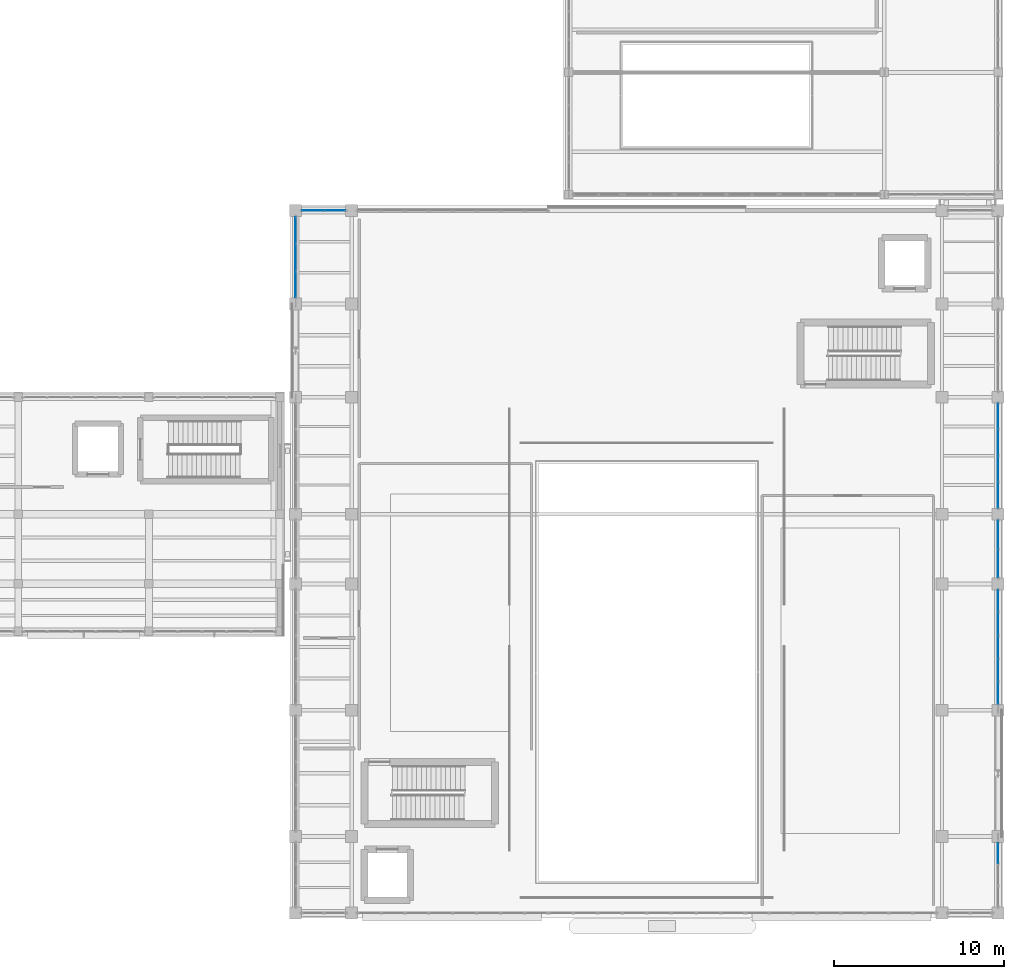
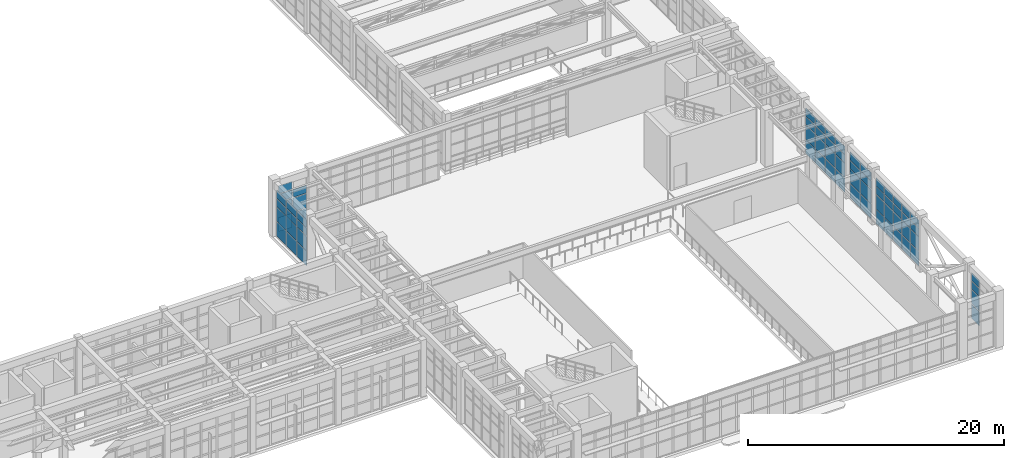
# One storey, part 76 of 103: 67 plates, 6 elements without a shape of their own.
"""IFC4 building model written with IfcOpenShell, lengths in metres."""

import ifcopenshell
import ifcopenshell.guid

model = None  # the IFC model being written
_history = None  # IfcOwnerHistory: only IFC2X3 demands one
_inside = {}  # id of a spatial element -> (the spatial element, [elements in it])
_under = {}  # id of a project, library or spatial element -> (it, [spatial elements below it])
_declared = {}  # id of a project -> (the project, [libraries it declares])
_typed = {}  # id of a type object -> (the type object, [elements of that type])
_made_of = {}  # id of a material, layer set ... -> (it, [elements and type objects made of it])


def new_model(schema):
    """Start an empty IFC model of exactly this schema.

    Asked for "IFC4X3", IfcOpenShell would pick the latest addendum, in which some entities
    have other attributes; the version numbers below select the first issue.
    IFC2X3 requires an IfcOwnerHistory on every rooted entity: one is made here for all.
    """
    global model, _history
    if schema == "IFC4X3":
        model = ifcopenshell.file(schema_version=(4, 3, 0, 0))
    else:
        model = ifcopenshell.file(schema=schema)
    _inside.clear()
    _under.clear()
    _declared.clear()
    _typed.clear()
    _made_of.clear()
    _history = None
    if model.schema == "IFC2X3":
        org = make("IfcOrganization", Name="unknown")
        user = make(
            "IfcPersonAndOrganization",
            ThePerson=make("IfcPerson", FamilyName="unknown"),
            TheOrganization=org,
        )
        app = make(
            "IfcApplication",
            ApplicationDeveloper=org,
            Version="unknown",
            ApplicationFullName="unknown",
            ApplicationIdentifier="unknown",
        )
        _history = make(
            "IfcOwnerHistory",
            OwningUser=user,
            OwningApplication=app,
            ChangeAction="ADDED",
            CreationDate=0,
        )
    return model


def make(cls, **values):
    """One entity of the class cls with the attributes given. An attribute that is None is left unset."""
    return model.create_entity(
        cls, **{name: value for name, value in values.items() if value is not None}
    )


def rooted(cls, **values):
    """An entity with a GlobalId (a new one), such as an element, a storey or a relation."""
    return make(cls, GlobalId=ifcopenshell.guid.new(), OwnerHistory=_history, **values)


def si_unit(unit_type, name, prefix=None):
    """IfcSIUnit, for example si_unit("LENGTHUNIT", "METRE", prefix="MILLI")."""
    return make("IfcSIUnit", UnitType=unit_type, Prefix=prefix, Name=name)


def assignment(units):
    """IfcUnitAssignment: the units of a project."""
    return None if units is None else make("IfcUnitAssignment", Units=units)


def point(xyz):
    """IfcCartesianPoint."""
    return None if xyz is None else make("IfcCartesianPoint", Coordinates=xyz)


def direction(xyz):
    """IfcDirection."""
    return None if xyz is None else make("IfcDirection", DirectionRatios=xyz)


def frame(location, z_axis=None, x_axis=None):
    """IfcAxis2Placement3D, a coordinate frame: its origin and axes. An axis left out is left unset."""
    return make(
        "IfcAxis2Placement3D",
        Location=point(location),
        Axis=direction(z_axis),
        RefDirection=direction(x_axis),
    )


def frame_2d(location, x_axis=None):
    """IfcAxis2Placement2D, a coordinate frame in the plane: its origin and x axis."""
    return make(
        "IfcAxis2Placement2D", Location=point(location), RefDirection=direction(x_axis)
    )


def origin():
    """The frame at (0, 0, 0) with its axes left unset."""
    return frame((0.0, 0.0, 0.0))


def origin_2d():
    """The frame at (0, 0) in the plane with its x axis left unset."""
    return frame_2d((0.0, 0.0))


def place(relative_to, where):
    """IfcLocalPlacement: puts the frame where relative to a parent placement (None: the world)."""
    return make(
        "IfcLocalPlacement", PlacementRelTo=relative_to, RelativePlacement=where
    )


def context(
    kind, dimensions, precision=None, world=None, true_north=None, identifier=None
):
    """IfcGeometricRepresentationContext, for example the 3D "Model" context."""
    return make(
        "IfcGeometricRepresentationContext",
        ContextIdentifier=identifier,
        ContextType=kind,
        CoordinateSpaceDimension=dimensions,
        Precision=precision,
        WorldCoordinateSystem=world,
        TrueNorth=true_north,
    )


def subcontext(parent, identifier, kind, view, scale=None):
    """IfcGeometricRepresentationSubContext, for example "Body" below "Model"."""
    return make(
        "IfcGeometricRepresentationSubContext",
        ContextIdentifier=identifier,
        ContextType=kind,
        ParentContext=parent,
        TargetScale=scale,
        TargetView=view,
    )


def project(units=None, contexts=None):
    """IfcProject with its units and contexts."""
    return rooted(
        "IfcProject",
        Name="project",
        RepresentationContexts=contexts,
        UnitsInContext=assignment(units),
    )


def spatial(cls, under=None, at=None, **own):
    """A site, building, storey or space (cls), placed at a placement, below another one or the project."""
    s = rooted(cls, ObjectPlacement=at, **own)
    if under is not None:
        _under.setdefault(under.id(), (under, []))[1].append(s)
    return s


def profile(cls, at=None, kind="AREA", **sizes):
    """A parametric profile (cls). Its sizes go by their IFC names, for example OverallWidth=200.0."""
    return make(cls, ProfileType=kind, Position=at, **sizes)


def rectangle(**sizes):
    """IfcRectangleProfileDef."""
    return profile("IfcRectangleProfileDef", **sizes)


def extrude(swept, where, along, depth):
    """IfcExtrudedAreaSolid: the profile swept, set in the frame where, extruded along a direction by depth."""
    return make(
        "IfcExtrudedAreaSolid",
        SweptArea=swept,
        Position=where,
        ExtrudedDirection=direction(along),
        Depth=depth,
    )


def shape(context_of_items, identifier, shape_type, items):
    """IfcShapeRepresentation: the items that make up one representation, for example the "Body"."""
    return make(
        "IfcShapeRepresentation",
        ContextOfItems=context_of_items,
        RepresentationIdentifier=identifier,
        RepresentationType=shape_type,
        Items=items,
    )


def material(Name=None, Category=None):
    """IfcMaterial."""
    return make("IfcMaterial", Name=Name, Category=Category)


def layer(
    of_material, thickness, ventilated=None, Name=None, Category=None, Priority=None
):
    """IfcMaterialLayer: one layer of a wall or slab, of a material (None: an air gap)."""
    return make(
        "IfcMaterialLayer",
        Material=of_material,
        LayerThickness=thickness,
        IsVentilated=ventilated,
        Name=Name,
        Category=Category,
        Priority=Priority,
    )


def layer_set(layers, Name=None):
    """IfcMaterialLayerSet."""
    return make("IfcMaterialLayerSet", MaterialLayers=layers, LayerSetName=Name)


def made_of(thing, what):
    """Note that an element or type object is made of a material, layer set ...; save() writes the relation."""
    if what is not None:
        _made_of.setdefault(what.id(), (what, []))[1].append(thing)
    return thing


def type_object(cls, material=None, **own):
    """A type object (cls), such as IfcWallType, which elements share."""
    return made_of(rooted(cls, **own), material)


def element(
    cls,
    number,
    at=None,
    inside=None,
    cuts=None,
    type_object=None,
    material=None,
    context=None,
    identifier="Body",
    shape_type=None,
    held_by="IfcProductDefinitionShape",
    body=None,
    shapes=None,
    **own,
):
    """One element of the class cls, such as IfcWall. Its Tag is "e" and its number.

    at: its placement. inside: the storey or other place that contains it. cuts: it is an
    opening in that element (IfcRelVoidsElement). A single representation is given by context,
    identifier, shape_type and body (its items); several are given by shapes. held_by: the class
    of the entity that holds the representations. save() writes the other relations.
    """
    e = rooted(cls, Tag="e%d" % number, ObjectPlacement=at, **own)
    if body is not None:
        shapes = [shape(context, identifier, shape_type, body)]
    if shapes is not None:
        e.Representation = make(held_by, Representations=shapes)
    if inside is not None:
        _inside.setdefault(inside.id(), (inside, []))[1].append(e)
    if cuts is not None:
        rooted(
            "IfcRelVoidsElement", RelatingBuildingElement=cuts, RelatedOpeningElement=e
        )
    if type_object is not None:
        _typed.setdefault(type_object.id(), (type_object, []))[1].append(e)
    return made_of(e, material)


def aggregate(whole, parts):
    """IfcRelAggregates: a whole, such as a stair, and the parts it consists of."""
    return rooted("IfcRelAggregates", RelatingObject=whole, RelatedObjects=parts)


def save(model, path):
    """Write the relations noted so far, then the file.

    IfcRelAggregates (storeys below a building ...), IfcRelContainedInSpatialStructure (elements
    in a storey), IfcRelDefinesByType, IfcRelAssociatesMaterial and IfcRelDeclares: one each for
    every whole, place, type object, material and project.
    """
    for whole, parts in _under.values():
        aggregate(whole, parts)
    for where, things in _inside.values():
        rooted(
            "IfcRelContainedInSpatialStructure",
            RelatedElements=things,
            RelatingStructure=where,
        )
    for kind, things in _typed.values():
        rooted("IfcRelDefinesByType", RelatedObjects=things, RelatingType=kind)
    for what, things in _made_of.values():
        rooted("IfcRelAssociatesMaterial", RelatedObjects=things, RelatingMaterial=what)
    for by, libraries in _declared.values():
        rooted("IfcRelDeclares", RelatingContext=by, RelatedDefinitions=libraries)
    model.write(path)


model = new_model("IFC4")

# Units and contexts
model_context = context("Model", 3, precision=1e-05, world=origin(), true_north=direction((0.0, 1.0)))
body_context = subcontext(model_context, "Body", "Model", "MODEL_VIEW")
ifc_project = project(units=[si_unit("LENGTHUNIT", "METRE"), si_unit("AREAUNIT", "SQUARE_METRE"), si_unit("VOLUMEUNIT", "CUBIC_METRE"), si_unit("PLANEANGLEUNIT", "RADIAN"), si_unit("MASSUNIT", "GRAM", prefix="KILO")], contexts=[model_context])

# Site, building, storey
site_placement = place(None, origin())
site = spatial("IfcSite", under=ifc_project, at=site_placement, CompositionType="ELEMENT")
building_placement = place(site_placement, origin())
building = spatial("IfcBuilding", under=site, at=building_placement, Name="Candilejo Ridge Gondola Terminal", CompositionType="ELEMENT")
storey_placement = place(building_placement, frame((0.0, 0.0, 9.0)))
storey = spatial("IfcBuildingStorey", under=building, at=storey_placement, Name="L02", CompositionType="ELEMENT", Elevation=9.0)

# Curtain wall, plates
ifc_material_1 = material(Name="Anodised aluminium AA 6063-T6", Category="aluminium")
ifc_layer_1 = layer(ifc_material_1, 0.169921875)
ifc_layer_set_1 = layer_set([ifc_layer_1], Name="ARC-CW-HALL-3800-385X449")
curtain_wall_type_1 = type_object("IfcCurtainWallType", Name="ARC-CW-HALL-3800-385X449", PredefinedType="NOTDEFINED", material=ifc_layer_set_1)
curtain_wall_1_placement = place(storey_placement, origin())
curtain_wall_1 = element("IfcCurtainWall", 1, at=curtain_wall_1_placement, inside=storey, type_object=curtain_wall_type_1, Name="Curtain wall V4 L02-133", PredefinedType="NOTDEFINED")
ifc_material_2 = material(Name="Low-E laminated double glazing 6+12A+6+1.52PVB+6 mm", Category="glass")
ifc_layer_2 = layer(ifc_material_2, 0.028076171875)
ifc_layer_set_2 = layer_set([ifc_layer_2], Name="ARC-CW-GLAZ-PANEL")
plate_type = type_object("IfcPlateType", Name="ARC-CW-GLAZ-PANEL", PredefinedType="CURTAIN_PANEL", material=ifc_layer_set_2)
plate_1_placement = place(storey_placement, frame((175.300048828125, 9.817138671875, 0.06005859375), z_axis=(0.0, 0.0, 1.0), x_axis=(0.0, 1.0, 0.0)))
plate_1 = element("IfcPlate", 2, at=plate_1_placement, type_object=plate_type, Name="CW-38X44 panel 3.1", PredefinedType="CURTAIN_PANEL", context=body_context, shape_type="SweptSolid", body=[
    extrude(rectangle(XDim=1.185791015625, YDim=0.028076171875, at=origin_2d()), origin(), (0.0, 0.0, 1.0), 1.360107421875),
])
plate_2_placement = place(storey_placement, frame((175.300048828125, 9.817138671875, 1.47998046875), z_axis=(0.0, 0.0, 1.0), x_axis=(0.0, 1.0, 0.0)))
plate_2 = element("IfcPlate", 3, at=plate_2_placement, type_object=plate_type, Name="CW-38X44 panel 3.2", PredefinedType="CURTAIN_PANEL", context=body_context, shape_type="SweptSolid", body=[
    extrude(rectangle(XDim=1.185791015625, YDim=0.028076171875, at=origin_2d()), origin(), (0.0, 0.0, 1.0), 1.340087890625),
])
plate_3_placement = place(storey_placement, frame((175.300048828125, 9.817138671875, 2.8798828125), z_axis=(0.0, 0.0, 1.0), x_axis=(0.0, 1.0, 0.0)))
plate_3 = element("IfcPlate", 4, at=plate_3_placement, type_object=plate_type, Name="CW-38X44 panel 3.3", PredefinedType="CURTAIN_PANEL", context=body_context, shape_type="SweptSolid", body=[
    extrude(rectangle(XDim=1.185791015625, YDim=0.028076171875, at=origin_2d()), origin(), (0.0, 0.0, 1.0), 0.739990234375),
])
plate_4_placement = place(storey_placement, frame((175.300048828125, 9.817138671875, 3.679931640625), z_axis=(0.0, 0.0, 1.0), x_axis=(0.0, 1.0, 0.0)))
plate_4 = element("IfcPlate", 5, at=plate_4_placement, type_object=plate_type, Name="CW-38X44 panel 3.4", PredefinedType="CURTAIN_PANEL", context=body_context, shape_type="SweptSolid", body=[
    extrude(rectangle(XDim=1.185791015625, YDim=0.028076171875, at=origin_2d()), origin(), (0.0, 0.0, 1.0), 0.75),
])
aggregate(curtain_wall_1, [plate_1, plate_2, plate_3, plate_4])

ifc_material_3 = material(Name="Anodised aluminium AA 6063-T6", Category="aluminium")
ifc_layer_3 = layer(ifc_material_3, 0.169921875)
ifc_layer_set_3 = layer_set([ifc_layer_3], Name="ARC-CW-HALL-3800-680X449")
curtain_wall_type_2 = type_object("IfcCurtainWallType", Name="ARC-CW-HALL-3800-680X449", PredefinedType="NOTDEFINED", material=ifc_layer_set_3)
curtain_wall_2_placement = place(storey_placement, origin())
curtain_wall_2 = element("IfcCurtainWall", 6, at=curtain_wall_2_placement, inside=storey, type_object=curtain_wall_type_2, Name="Curtain wall V4 L02-136", PredefinedType="NOTDEFINED")
plate_5_placement = place(storey_placement, frame((175.300048828125, 19.271240234375, 0.06005859375), z_axis=(0.0, 0.0, 1.0), x_axis=(0.0, 1.0, 0.0)))
plate_5 = element("IfcPlate", 7, at=plate_5_placement, type_object=plate_type, Name="CW-68X44 panel 1.1", PredefinedType="CURTAIN_PANEL", context=body_context, shape_type="SweptSolid", body=[
    extrude(rectangle(XDim=1.262451171875, YDim=0.028076171875, at=origin_2d()), origin(), (0.0, 0.0, 1.0), 1.360107421875),
])
plate_6_placement = place(storey_placement, frame((175.300048828125, 19.271240234375, 1.47998046875), z_axis=(0.0, 0.0, 1.0), x_axis=(0.0, 1.0, 0.0)))
plate_6 = element("IfcPlate", 8, at=plate_6_placement, type_object=plate_type, Name="CW-68X44 panel 1.2", PredefinedType="CURTAIN_PANEL", context=body_context, shape_type="SweptSolid", body=[
    extrude(rectangle(XDim=1.262451171875, YDim=0.028076171875, at=origin_2d()), origin(), (0.0, 0.0, 1.0), 1.340087890625),
])
plate_7_placement = place(storey_placement, frame((175.300048828125, 19.271240234375, 2.8798828125), z_axis=(0.0, 0.0, 1.0), x_axis=(0.0, 1.0, 0.0)))
plate_7 = element("IfcPlate", 9, at=plate_7_placement, type_object=plate_type, Name="CW-68X44 panel 1.3", PredefinedType="CURTAIN_PANEL", context=body_context, shape_type="SweptSolid", body=[
    extrude(rectangle(XDim=1.262451171875, YDim=0.028076171875, at=origin_2d()), origin(), (0.0, 0.0, 1.0), 0.739990234375),
])
plate_8_placement = place(storey_placement, frame((175.300048828125, 19.271240234375, 3.679931640625), z_axis=(0.0, 0.0, 1.0), x_axis=(0.0, 1.0, 0.0)))
plate_8 = element("IfcPlate", 10, at=plate_8_placement, type_object=plate_type, Name="CW-68X44 panel 1.4", PredefinedType="CURTAIN_PANEL", context=body_context, shape_type="SweptSolid", body=[
    extrude(rectangle(XDim=1.262451171875, YDim=0.028076171875, at=origin_2d()), origin(), (0.0, 0.0, 1.0), 0.75),
])
plate_9_placement = place(storey_placement, frame((175.300048828125, 20.614990234375, 0.06005859375), z_axis=(0.0, 0.0, 1.0), x_axis=(0.0, 1.0, 0.0)))
plate_9 = element("IfcPlate", 11, at=plate_9_placement, type_object=plate_type, Name="CW-68X44 panel 2.1", PredefinedType="CURTAIN_PANEL", context=body_context, shape_type="SweptSolid", body=[
    extrude(rectangle(XDim=1.294921875, YDim=0.028076171875, at=origin_2d()), origin(), (0.0, 0.0, 1.0), 1.360107421875),
])
plate_10_placement = place(storey_placement, frame((175.300048828125, 20.614990234375, 1.47998046875), z_axis=(0.0, 0.0, 1.0), x_axis=(0.0, 1.0, 0.0)))
plate_10 = element("IfcPlate", 12, at=plate_10_placement, type_object=plate_type, Name="CW-68X44 panel 2.2", PredefinedType="CURTAIN_PANEL", context=body_context, shape_type="SweptSolid", body=[
    extrude(rectangle(XDim=1.294921875, YDim=0.028076171875, at=origin_2d()), origin(), (0.0, 0.0, 1.0), 1.340087890625),
])
plate_11_placement = place(storey_placement, frame((175.300048828125, 20.614990234375, 2.8798828125), z_axis=(0.0, 0.0, 1.0), x_axis=(0.0, 1.0, 0.0)))
plate_11 = element("IfcPlate", 13, at=plate_11_placement, type_object=plate_type, Name="CW-68X44 panel 2.3", PredefinedType="CURTAIN_PANEL", context=body_context, shape_type="SweptSolid", body=[
    extrude(rectangle(XDim=1.294921875, YDim=0.028076171875, at=origin_2d()), origin(), (0.0, 0.0, 1.0), 0.739990234375),
])
plate_12_placement = place(storey_placement, frame((175.300048828125, 20.614990234375, 3.679931640625), z_axis=(0.0, 0.0, 1.0), x_axis=(0.0, 1.0, 0.0)))
plate_12 = element("IfcPlate", 14, at=plate_12_placement, type_object=plate_type, Name="CW-68X44 panel 2.4", PredefinedType="CURTAIN_PANEL", context=body_context, shape_type="SweptSolid", body=[
    extrude(rectangle(XDim=1.294921875, YDim=0.028076171875, at=origin_2d()), origin(), (0.0, 0.0, 1.0), 0.75),
])
plate_13_placement = place(storey_placement, frame((175.300048828125, 21.97509765625, 0.06005859375), z_axis=(0.0, 0.0, 1.0), x_axis=(0.0, 1.0, 0.0)))
plate_13 = element("IfcPlate", 15, at=plate_13_placement, type_object=plate_type, Name="CW-68X44 panel 3.1", PredefinedType="CURTAIN_PANEL", context=body_context, shape_type="SweptSolid", body=[
    extrude(rectangle(XDim=1.294921875, YDim=0.028076171875, at=origin_2d()), origin(), (0.0, 0.0, 1.0), 1.360107421875),
])
plate_14_placement = place(storey_placement, frame((175.300048828125, 21.97509765625, 1.47998046875), z_axis=(0.0, 0.0, 1.0), x_axis=(0.0, 1.0, 0.0)))
plate_14 = element("IfcPlate", 16, at=plate_14_placement, type_object=plate_type, Name="CW-68X44 panel 3.2", PredefinedType="CURTAIN_PANEL", context=body_context, shape_type="SweptSolid", body=[
    extrude(rectangle(XDim=1.294921875, YDim=0.028076171875, at=origin_2d()), origin(), (0.0, 0.0, 1.0), 1.340087890625),
])
plate_15_placement = place(storey_placement, frame((175.300048828125, 21.97509765625, 2.8798828125), z_axis=(0.0, 0.0, 1.0), x_axis=(0.0, 1.0, 0.0)))
plate_15 = element("IfcPlate", 17, at=plate_15_placement, type_object=plate_type, Name="CW-68X44 panel 3.3", PredefinedType="CURTAIN_PANEL", context=body_context, shape_type="SweptSolid", body=[
    extrude(rectangle(XDim=1.294921875, YDim=0.028076171875, at=origin_2d()), origin(), (0.0, 0.0, 1.0), 0.739990234375),
])
plate_16_placement = place(storey_placement, frame((175.300048828125, 21.97509765625, 3.679931640625), z_axis=(0.0, 0.0, 1.0), x_axis=(0.0, 1.0, 0.0)))
plate_16 = element("IfcPlate", 18, at=plate_16_placement, type_object=plate_type, Name="CW-68X44 panel 3.4", PredefinedType="CURTAIN_PANEL", context=body_context, shape_type="SweptSolid", body=[
    extrude(rectangle(XDim=1.294921875, YDim=0.028076171875, at=origin_2d()), origin(), (0.0, 0.0, 1.0), 0.75),
])
plate_17_placement = place(storey_placement, frame((175.300048828125, 23.3349609375, 0.06005859375), z_axis=(0.0, 0.0, 1.0), x_axis=(0.0, 1.0, 0.0)))
plate_17 = element("IfcPlate", 19, at=plate_17_placement, type_object=plate_type, Name="CW-68X44 panel 4.1", PredefinedType="CURTAIN_PANEL", context=body_context, shape_type="SweptSolid", body=[
    extrude(rectangle(XDim=1.294921875, YDim=0.028076171875, at=origin_2d()), origin(), (0.0, 0.0, 1.0), 1.360107421875),
])
plate_18_placement = place(storey_placement, frame((175.300048828125, 23.3349609375, 1.47998046875), z_axis=(0.0, 0.0, 1.0), x_axis=(0.0, 1.0, 0.0)))
plate_18 = element("IfcPlate", 20, at=plate_18_placement, type_object=plate_type, Name="CW-68X44 panel 4.2", PredefinedType="CURTAIN_PANEL", context=body_context, shape_type="SweptSolid", body=[
    extrude(rectangle(XDim=1.294921875, YDim=0.028076171875, at=origin_2d()), origin(), (0.0, 0.0, 1.0), 1.340087890625),
])
plate_19_placement = place(storey_placement, frame((175.300048828125, 23.3349609375, 2.8798828125), z_axis=(0.0, 0.0, 1.0), x_axis=(0.0, 1.0, 0.0)))
plate_19 = element("IfcPlate", 21, at=plate_19_placement, type_object=plate_type, Name="CW-68X44 panel 4.3", PredefinedType="CURTAIN_PANEL", context=body_context, shape_type="SweptSolid", body=[
    extrude(rectangle(XDim=1.294921875, YDim=0.028076171875, at=origin_2d()), origin(), (0.0, 0.0, 1.0), 0.739990234375),
])
plate_20_placement = place(storey_placement, frame((175.300048828125, 23.3349609375, 3.679931640625), z_axis=(0.0, 0.0, 1.0), x_axis=(0.0, 1.0, 0.0)))
plate_20 = element("IfcPlate", 22, at=plate_20_placement, type_object=plate_type, Name="CW-68X44 panel 4.4", PredefinedType="CURTAIN_PANEL", context=body_context, shape_type="SweptSolid", body=[
    extrude(rectangle(XDim=1.294921875, YDim=0.028076171875, at=origin_2d()), origin(), (0.0, 0.0, 1.0), 0.75),
])
plate_21_placement = place(storey_placement, frame((175.300048828125, 24.6787109375, 0.06005859375), z_axis=(0.0, 0.0, 1.0), x_axis=(0.0, 1.0, 0.0)))
plate_21 = element("IfcPlate", 23, at=plate_21_placement, type_object=plate_type, Name="CW-68X44 panel 5.1", PredefinedType="CURTAIN_PANEL", context=body_context, shape_type="SweptSolid", body=[
    extrude(rectangle(XDim=1.262451171875, YDim=0.028076171875, at=origin_2d()), origin(), (0.0, 0.0, 1.0), 1.360107421875),
])
plate_22_placement = place(storey_placement, frame((175.300048828125, 24.6787109375, 1.47998046875), z_axis=(0.0, 0.0, 1.0), x_axis=(0.0, 1.0, 0.0)))
plate_22 = element("IfcPlate", 24, at=plate_22_placement, type_object=plate_type, Name="CW-68X44 panel 5.2", PredefinedType="CURTAIN_PANEL", context=body_context, shape_type="SweptSolid", body=[
    extrude(rectangle(XDim=1.262451171875, YDim=0.028076171875, at=origin_2d()), origin(), (0.0, 0.0, 1.0), 1.340087890625),
])
plate_23_placement = place(storey_placement, frame((175.300048828125, 24.6787109375, 2.8798828125), z_axis=(0.0, 0.0, 1.0), x_axis=(0.0, 1.0, 0.0)))
plate_23 = element("IfcPlate", 25, at=plate_23_placement, type_object=plate_type, Name="CW-68X44 panel 5.3", PredefinedType="CURTAIN_PANEL", context=body_context, shape_type="SweptSolid", body=[
    extrude(rectangle(XDim=1.262451171875, YDim=0.028076171875, at=origin_2d()), origin(), (0.0, 0.0, 1.0), 0.739990234375),
])
plate_24_placement = place(storey_placement, frame((175.300048828125, 24.6787109375, 3.679931640625), z_axis=(0.0, 0.0, 1.0), x_axis=(0.0, 1.0, 0.0)))
plate_24 = element("IfcPlate", 26, at=plate_24_placement, type_object=plate_type, Name="CW-68X44 panel 5.4", PredefinedType="CURTAIN_PANEL", context=body_context, shape_type="SweptSolid", body=[
    extrude(rectangle(XDim=1.262451171875, YDim=0.028076171875, at=origin_2d()), origin(), (0.0, 0.0, 1.0), 0.75),
])
aggregate(curtain_wall_2, [plate_5, plate_6, plate_7, plate_8, plate_9, plate_10, plate_11, plate_12, plate_13, plate_14, plate_15, plate_16, plate_17, plate_18, plate_19, plate_20, plate_21, plate_22, plate_23, plate_24])

ifc_material_4 = material(Name="Anodised aluminium AA 6063-T6", Category="aluminium")
ifc_layer_4 = layer(ifc_material_4, 0.169921875)
ifc_layer_set_4 = layer_set([ifc_layer_4], Name="ARC-CW-HALL-3800-345X449")
curtain_wall_type_3 = type_object("IfcCurtainWallType", Name="ARC-CW-HALL-3800-345X449", PredefinedType="NOTDEFINED", material=ifc_layer_set_4)
curtain_wall_3_placement = place(storey_placement, origin())
curtain_wall_3 = element("IfcCurtainWall", 27, at=curtain_wall_3_placement, inside=storey, type_object=curtain_wall_type_3, Name="Curtain wall V4 L02-138", PredefinedType="NOTDEFINED")
plate_25_placement = place(storey_placement, frame((175.300048828125, 26.90380859375, 0.06005859375), z_axis=(0.0, 0.0, 1.0), x_axis=(0.0, 1.0, 0.0)))
plate_25 = element("IfcPlate", 28, at=plate_25_placement, type_object=plate_type, Name="CW-34X44 panel 1.1", PredefinedType="CURTAIN_PANEL", context=body_context, shape_type="SweptSolid", body=[
    extrude(rectangle(XDim=1.62744140625, YDim=0.028076171875, at=origin_2d()), origin(), (0.0, 0.0, 1.0), 1.360107421875),
])
plate_26_placement = place(storey_placement, frame((175.300048828125, 26.90380859375, 1.47998046875), z_axis=(0.0, 0.0, 1.0), x_axis=(0.0, 1.0, 0.0)))
plate_26 = element("IfcPlate", 29, at=plate_26_placement, type_object=plate_type, Name="CW-34X44 panel 1.2", PredefinedType="CURTAIN_PANEL", context=body_context, shape_type="SweptSolid", body=[
    extrude(rectangle(XDim=1.62744140625, YDim=0.028076171875, at=origin_2d()), origin(), (0.0, 0.0, 1.0), 1.340087890625),
])
plate_27_placement = place(storey_placement, frame((175.300048828125, 26.90380859375, 2.8798828125), z_axis=(0.0, 0.0, 1.0), x_axis=(0.0, 1.0, 0.0)))
plate_27 = element("IfcPlate", 30, at=plate_27_placement, type_object=plate_type, Name="CW-34X44 panel 1.3", PredefinedType="CURTAIN_PANEL", context=body_context, shape_type="SweptSolid", body=[
    extrude(rectangle(XDim=1.62744140625, YDim=0.028076171875, at=origin_2d()), origin(), (0.0, 0.0, 1.0), 0.739990234375),
])
plate_28_placement = place(storey_placement, frame((175.300048828125, 26.90380859375, 3.679931640625), z_axis=(0.0, 0.0, 1.0), x_axis=(0.0, 1.0, 0.0)))
plate_28 = element("IfcPlate", 31, at=plate_28_placement, type_object=plate_type, Name="CW-34X44 panel 1.4", PredefinedType="CURTAIN_PANEL", context=body_context, shape_type="SweptSolid", body=[
    extrude(rectangle(XDim=1.62744140625, YDim=0.028076171875, at=origin_2d()), origin(), (0.0, 0.0, 1.0), 0.75),
])
plate_29_placement = place(storey_placement, frame((175.300048828125, 28.59619140625, 0.06005859375), z_axis=(0.0, 0.0, 1.0), x_axis=(0.0, 1.0, 0.0)))
plate_29 = element("IfcPlate", 32, at=plate_29_placement, type_object=plate_type, Name="CW-34X44 panel 2.1", PredefinedType="CURTAIN_PANEL", context=body_context, shape_type="SweptSolid", body=[
    extrude(rectangle(XDim=1.62744140625, YDim=0.028076171875, at=origin_2d()), origin(), (0.0, 0.0, 1.0), 1.360107421875),
])
plate_30_placement = place(storey_placement, frame((175.300048828125, 28.59619140625, 1.47998046875), z_axis=(0.0, 0.0, 1.0), x_axis=(0.0, 1.0, 0.0)))
plate_30 = element("IfcPlate", 33, at=plate_30_placement, type_object=plate_type, Name="CW-34X44 panel 2.2", PredefinedType="CURTAIN_PANEL", context=body_context, shape_type="SweptSolid", body=[
    extrude(rectangle(XDim=1.62744140625, YDim=0.028076171875, at=origin_2d()), origin(), (0.0, 0.0, 1.0), 1.340087890625),
])
plate_31_placement = place(storey_placement, frame((175.300048828125, 28.59619140625, 2.8798828125), z_axis=(0.0, 0.0, 1.0), x_axis=(0.0, 1.0, 0.0)))
plate_31 = element("IfcPlate", 34, at=plate_31_placement, type_object=plate_type, Name="CW-34X44 panel 2.3", PredefinedType="CURTAIN_PANEL", context=body_context, shape_type="SweptSolid", body=[
    extrude(rectangle(XDim=1.62744140625, YDim=0.028076171875, at=origin_2d()), origin(), (0.0, 0.0, 1.0), 0.739990234375),
])
plate_32_placement = place(storey_placement, frame((175.300048828125, 28.59619140625, 3.679931640625), z_axis=(0.0, 0.0, 1.0), x_axis=(0.0, 1.0, 0.0)))
plate_32 = element("IfcPlate", 35, at=plate_32_placement, type_object=plate_type, Name="CW-34X44 panel 2.4", PredefinedType="CURTAIN_PANEL", context=body_context, shape_type="SweptSolid", body=[
    extrude(rectangle(XDim=1.62744140625, YDim=0.028076171875, at=origin_2d()), origin(), (0.0, 0.0, 1.0), 0.75),
])
aggregate(curtain_wall_3, [plate_25, plate_26, plate_27, plate_28, plate_29, plate_30, plate_31, plate_32])

ifc_material_5 = material(Name="Anodised aluminium AA 6063-T6", Category="aluminium")
ifc_layer_5 = layer(ifc_material_5, 0.169921875)
ifc_layer_set_5 = layer_set([ifc_layer_5], Name="ARC-CW-HALL-3800-625X449")
curtain_wall_type_4 = type_object("IfcCurtainWallType", Name="ARC-CW-HALL-3800-625X449", PredefinedType="NOTDEFINED", material=ifc_layer_set_5)
curtain_wall_4_placement = place(storey_placement, origin())
curtain_wall_4 = element("IfcCurtainWall", 36, at=curtain_wall_4_placement, inside=storey, type_object=curtain_wall_type_4, Name="Curtain wall V4 L02-140", PredefinedType="NOTDEFINED")
plate_33_placement = place(storey_placement, frame((175.300048828125, 30.922607421875, 0.06005859375), z_axis=(0.0, 0.0, 1.0), x_axis=(0.0, 1.0, 0.0)))
plate_33 = element("IfcPlate", 37, at=plate_33_placement, type_object=plate_type, Name="CW-62X44 panel 1.1", PredefinedType="CURTAIN_PANEL", context=body_context, shape_type="SweptSolid", body=[
    extrude(rectangle(XDim=1.465087890625, YDim=0.028076171875, at=origin_2d()), origin(), (0.0, 0.0, 1.0), 1.360107421875),
])
plate_34_placement = place(storey_placement, frame((175.300048828125, 30.922607421875, 1.47998046875), z_axis=(0.0, 0.0, 1.0), x_axis=(0.0, 1.0, 0.0)))
plate_34 = element("IfcPlate", 38, at=plate_34_placement, type_object=plate_type, Name="CW-62X44 panel 1.2", PredefinedType="CURTAIN_PANEL", context=body_context, shape_type="SweptSolid", body=[
    extrude(rectangle(XDim=1.465087890625, YDim=0.028076171875, at=origin_2d()), origin(), (0.0, 0.0, 1.0), 1.340087890625),
])
plate_35_placement = place(storey_placement, frame((175.300048828125, 30.922607421875, 2.8798828125), z_axis=(0.0, 0.0, 1.0), x_axis=(0.0, 1.0, 0.0)))
plate_35 = element("IfcPlate", 39, at=plate_35_placement, type_object=plate_type, Name="CW-62X44 panel 1.3", PredefinedType="CURTAIN_PANEL", context=body_context, shape_type="SweptSolid", body=[
    extrude(rectangle(XDim=1.465087890625, YDim=0.028076171875, at=origin_2d()), origin(), (0.0, 0.0, 1.0), 0.739990234375),
])
plate_36_placement = place(storey_placement, frame((175.300048828125, 30.922607421875, 3.679931640625), z_axis=(0.0, 0.0, 1.0), x_axis=(0.0, 1.0, 0.0)))
plate_36 = element("IfcPlate", 40, at=plate_36_placement, type_object=plate_type, Name="CW-62X44 panel 1.4", PredefinedType="CURTAIN_PANEL", context=body_context, shape_type="SweptSolid", body=[
    extrude(rectangle(XDim=1.465087890625, YDim=0.028076171875, at=origin_2d()), origin(), (0.0, 0.0, 1.0), 0.75),
])
plate_37_placement = place(storey_placement, frame((175.300048828125, 32.46875, 0.06005859375), z_axis=(0.0, 0.0, 1.0), x_axis=(0.0, 1.0, 0.0)))
plate_37 = element("IfcPlate", 41, at=plate_37_placement, type_object=plate_type, Name="CW-62X44 panel 2.1", PredefinedType="CURTAIN_PANEL", context=body_context, shape_type="SweptSolid", body=[
    extrude(rectangle(XDim=1.49755859375, YDim=0.028076171875, at=origin_2d()), origin(), (0.0, 0.0, 1.0), 1.360107421875),
])
plate_38_placement = place(storey_placement, frame((175.300048828125, 32.46875, 1.47998046875), z_axis=(0.0, 0.0, 1.0), x_axis=(0.0, 1.0, 0.0)))
plate_38 = element("IfcPlate", 42, at=plate_38_placement, type_object=plate_type, Name="CW-62X44 panel 2.2", PredefinedType="CURTAIN_PANEL", context=body_context, shape_type="SweptSolid", body=[
    extrude(rectangle(XDim=1.49755859375, YDim=0.028076171875, at=origin_2d()), origin(), (0.0, 0.0, 1.0), 1.340087890625),
])
plate_39_placement = place(storey_placement, frame((175.300048828125, 32.46875, 2.8798828125), z_axis=(0.0, 0.0, 1.0), x_axis=(0.0, 1.0, 0.0)))
plate_39 = element("IfcPlate", 43, at=plate_39_placement, type_object=plate_type, Name="CW-62X44 panel 2.3", PredefinedType="CURTAIN_PANEL", context=body_context, shape_type="SweptSolid", body=[
    extrude(rectangle(XDim=1.49755859375, YDim=0.028076171875, at=origin_2d()), origin(), (0.0, 0.0, 1.0), 0.739990234375),
])
plate_40_placement = place(storey_placement, frame((175.300048828125, 32.46875, 3.679931640625), z_axis=(0.0, 0.0, 1.0), x_axis=(0.0, 1.0, 0.0)))
plate_40 = element("IfcPlate", 44, at=plate_40_placement, type_object=plate_type, Name="CW-62X44 panel 2.4", PredefinedType="CURTAIN_PANEL", context=body_context, shape_type="SweptSolid", body=[
    extrude(rectangle(XDim=1.49755859375, YDim=0.028076171875, at=origin_2d()), origin(), (0.0, 0.0, 1.0), 0.75),
])
plate_41_placement = place(storey_placement, frame((175.300048828125, 34.03125, 0.06005859375), z_axis=(0.0, 0.0, 1.0), x_axis=(0.0, 1.0, 0.0)))
plate_41 = element("IfcPlate", 45, at=plate_41_placement, type_object=plate_type, Name="CW-62X44 panel 3.1", PredefinedType="CURTAIN_PANEL", context=body_context, shape_type="SweptSolid", body=[
    extrude(rectangle(XDim=1.49755859375, YDim=0.028076171875, at=origin_2d()), origin(), (0.0, 0.0, 1.0), 1.360107421875),
])
plate_42_placement = place(storey_placement, frame((175.300048828125, 34.03125, 1.47998046875), z_axis=(0.0, 0.0, 1.0), x_axis=(0.0, 1.0, 0.0)))
plate_42 = element("IfcPlate", 46, at=plate_42_placement, type_object=plate_type, Name="CW-62X44 panel 3.2", PredefinedType="CURTAIN_PANEL", context=body_context, shape_type="SweptSolid", body=[
    extrude(rectangle(XDim=1.49755859375, YDim=0.028076171875, at=origin_2d()), origin(), (0.0, 0.0, 1.0), 1.340087890625),
])
plate_43_placement = place(storey_placement, frame((175.300048828125, 34.03125, 2.8798828125), z_axis=(0.0, 0.0, 1.0), x_axis=(0.0, 1.0, 0.0)))
plate_43 = element("IfcPlate", 47, at=plate_43_placement, type_object=plate_type, Name="CW-62X44 panel 3.3", PredefinedType="CURTAIN_PANEL", context=body_context, shape_type="SweptSolid", body=[
    extrude(rectangle(XDim=1.49755859375, YDim=0.028076171875, at=origin_2d()), origin(), (0.0, 0.0, 1.0), 0.739990234375),
])
plate_44_placement = place(storey_placement, frame((175.300048828125, 34.03125, 3.679931640625), z_axis=(0.0, 0.0, 1.0), x_axis=(0.0, 1.0, 0.0)))
plate_44 = element("IfcPlate", 48, at=plate_44_placement, type_object=plate_type, Name="CW-62X44 panel 3.4", PredefinedType="CURTAIN_PANEL", context=body_context, shape_type="SweptSolid", body=[
    extrude(rectangle(XDim=1.49755859375, YDim=0.028076171875, at=origin_2d()), origin(), (0.0, 0.0, 1.0), 0.75),
])
plate_45_placement = place(storey_placement, frame((175.300048828125, 35.577392578125, 0.06005859375), z_axis=(0.0, 0.0, 1.0), x_axis=(0.0, 1.0, 0.0)))
plate_45 = element("IfcPlate", 49, at=plate_45_placement, type_object=plate_type, Name="CW-62X44 panel 4.1", PredefinedType="CURTAIN_PANEL", context=body_context, shape_type="SweptSolid", body=[
    extrude(rectangle(XDim=1.465087890625, YDim=0.028076171875, at=origin_2d()), origin(), (0.0, 0.0, 1.0), 1.360107421875),
])
plate_46_placement = place(storey_placement, frame((175.300048828125, 35.577392578125, 1.47998046875), z_axis=(0.0, 0.0, 1.0), x_axis=(0.0, 1.0, 0.0)))
plate_46 = element("IfcPlate", 50, at=plate_46_placement, type_object=plate_type, Name="CW-62X44 panel 4.2", PredefinedType="CURTAIN_PANEL", context=body_context, shape_type="SweptSolid", body=[
    extrude(rectangle(XDim=1.465087890625, YDim=0.028076171875, at=origin_2d()), origin(), (0.0, 0.0, 1.0), 1.340087890625),
])
plate_47_placement = place(storey_placement, frame((175.300048828125, 35.577392578125, 2.8798828125), z_axis=(0.0, 0.0, 1.0), x_axis=(0.0, 1.0, 0.0)))
plate_47 = element("IfcPlate", 51, at=plate_47_placement, type_object=plate_type, Name="CW-62X44 panel 4.3", PredefinedType="CURTAIN_PANEL", context=body_context, shape_type="SweptSolid", body=[
    extrude(rectangle(XDim=1.465087890625, YDim=0.028076171875, at=origin_2d()), origin(), (0.0, 0.0, 1.0), 0.739990234375),
])
plate_48_placement = place(storey_placement, frame((175.300048828125, 35.577392578125, 3.679931640625), z_axis=(0.0, 0.0, 1.0), x_axis=(0.0, 1.0, 0.0)))
plate_48 = element("IfcPlate", 52, at=plate_48_placement, type_object=plate_type, Name="CW-62X44 panel 4.4", PredefinedType="CURTAIN_PANEL", context=body_context, shape_type="SweptSolid", body=[
    extrude(rectangle(XDim=1.465087890625, YDim=0.028076171875, at=origin_2d()), origin(), (0.0, 0.0, 1.0), 0.75),
])
aggregate(curtain_wall_4, [plate_33, plate_34, plate_35, plate_36, plate_37, plate_38, plate_39, plate_40, plate_41, plate_42, plate_43, plate_44, plate_45, plate_46, plate_47, plate_48])

ifc_material_6 = material(Name="Anodised aluminium AA 6063-T6", Category="aluminium")
ifc_layer_6 = layer(ifc_material_6, 0.169921875)
ifc_layer_set_6 = layer_set([ifc_layer_6], Name="ARC-CW-HALL-3800-485X449")
curtain_wall_type_5 = type_object("IfcCurtainWallType", Name="ARC-CW-HALL-3800-485X449", PredefinedType="NOTDEFINED", material=ifc_layer_set_6)
curtain_wall_5_placement = place(storey_placement, origin())
curtain_wall_5 = element("IfcCurtainWall", 53, at=curtain_wall_5_placement, inside=storey, type_object=curtain_wall_type_5, Name="Curtain wall V4 L02-142", PredefinedType="NOTDEFINED")
plate_49_placement = place(storey_placement, frame((133.89990234375, 43.349609375, 0.06005859375), z_axis=(0.0, 0.0, 1.0), x_axis=(0.0, 1.0, 0.0)))
plate_49 = element("IfcPlate", 54, at=plate_49_placement, type_object=plate_type, Name="CW-48X44 panel 1.1", PredefinedType="CURTAIN_PANEL", context=body_context, shape_type="SweptSolid", body=[
    extrude(rectangle(XDim=1.519287109375, YDim=0.028076171875, at=origin_2d()), origin(), (0.0, 0.0, 1.0), 1.360107421875),
])
plate_50_placement = place(storey_placement, frame((133.89990234375, 43.349609375, 1.47998046875), z_axis=(0.0, 0.0, 1.0), x_axis=(0.0, 1.0, 0.0)))
plate_50 = element("IfcPlate", 55, at=plate_50_placement, type_object=plate_type, Name="CW-48X44 panel 1.2", PredefinedType="CURTAIN_PANEL", context=body_context, shape_type="SweptSolid", body=[
    extrude(rectangle(XDim=1.519287109375, YDim=0.028076171875, at=origin_2d()), origin(), (0.0, 0.0, 1.0), 1.340087890625),
])
plate_51_placement = place(storey_placement, frame((133.89990234375, 43.349609375, 2.8798828125), z_axis=(0.0, 0.0, 1.0), x_axis=(0.0, 1.0, 0.0)))
plate_51 = element("IfcPlate", 56, at=plate_51_placement, type_object=plate_type, Name="CW-48X44 panel 1.3", PredefinedType="CURTAIN_PANEL", context=body_context, shape_type="SweptSolid", body=[
    extrude(rectangle(XDim=1.519287109375, YDim=0.028076171875, at=origin_2d()), origin(), (0.0, 0.0, 1.0), 0.739990234375),
])
plate_52_placement = place(storey_placement, frame((133.89990234375, 43.349609375, 3.679931640625), z_axis=(0.0, 0.0, 1.0), x_axis=(0.0, 1.0, 0.0)))
plate_52 = element("IfcPlate", 57, at=plate_52_placement, type_object=plate_type, Name="CW-48X44 panel 1.4", PredefinedType="CURTAIN_PANEL", context=body_context, shape_type="SweptSolid", body=[
    extrude(rectangle(XDim=1.519287109375, YDim=0.028076171875, at=origin_2d()), origin(), (0.0, 0.0, 1.0), 0.75),
])
plate_53_placement = place(storey_placement, frame((133.89990234375, 44.949951171875, 0.06005859375), z_axis=(0.0, 0.0, 1.0), x_axis=(0.0, 1.0, 0.0)))
plate_53 = element("IfcPlate", 58, at=plate_53_placement, type_object=plate_type, Name="CW-48X44 panel 2.1", PredefinedType="CURTAIN_PANEL", context=body_context, shape_type="SweptSolid", body=[
    extrude(rectangle(XDim=1.5517578125, YDim=0.028076171875, at=origin_2d()), origin(), (0.0, 0.0, 1.0), 1.360107421875),
])
plate_54_placement = place(storey_placement, frame((133.89990234375, 44.949951171875, 1.47998046875), z_axis=(0.0, 0.0, 1.0), x_axis=(0.0, 1.0, 0.0)))
plate_54 = element("IfcPlate", 59, at=plate_54_placement, type_object=plate_type, Name="CW-48X44 panel 2.2", PredefinedType="CURTAIN_PANEL", context=body_context, shape_type="SweptSolid", body=[
    extrude(rectangle(XDim=1.5517578125, YDim=0.028076171875, at=origin_2d()), origin(), (0.0, 0.0, 1.0), 1.340087890625),
])
plate_55_placement = place(storey_placement, frame((133.89990234375, 44.949951171875, 2.8798828125), z_axis=(0.0, 0.0, 1.0), x_axis=(0.0, 1.0, 0.0)))
plate_55 = element("IfcPlate", 60, at=plate_55_placement, type_object=plate_type, Name="CW-48X44 panel 2.3", PredefinedType="CURTAIN_PANEL", context=body_context, shape_type="SweptSolid", body=[
    extrude(rectangle(XDim=1.5517578125, YDim=0.028076171875, at=origin_2d()), origin(), (0.0, 0.0, 1.0), 0.739990234375),
])
plate_56_placement = place(storey_placement, frame((133.89990234375, 44.949951171875, 3.679931640625), z_axis=(0.0, 0.0, 1.0), x_axis=(0.0, 1.0, 0.0)))
plate_56 = element("IfcPlate", 61, at=plate_56_placement, type_object=plate_type, Name="CW-48X44 panel 2.4", PredefinedType="CURTAIN_PANEL", context=body_context, shape_type="SweptSolid", body=[
    extrude(rectangle(XDim=1.5517578125, YDim=0.028076171875, at=origin_2d()), origin(), (0.0, 0.0, 1.0), 0.75),
])
plate_57_placement = place(storey_placement, frame((133.89990234375, 46.550537109375, 0.06005859375), z_axis=(0.0, 0.0, 1.0), x_axis=(0.0, 1.0, 0.0)))
plate_57 = element("IfcPlate", 62, at=plate_57_placement, type_object=plate_type, Name="CW-48X44 panel 3.1", PredefinedType="CURTAIN_PANEL", context=body_context, shape_type="SweptSolid", body=[
    extrude(rectangle(XDim=1.519287109375, YDim=0.028076171875, at=origin_2d()), origin(), (0.0, 0.0, 1.0), 1.360107421875),
])
plate_58_placement = place(storey_placement, frame((133.89990234375, 46.550537109375, 1.47998046875), z_axis=(0.0, 0.0, 1.0), x_axis=(0.0, 1.0, 0.0)))
plate_58 = element("IfcPlate", 63, at=plate_58_placement, type_object=plate_type, Name="CW-48X44 panel 3.2", PredefinedType="CURTAIN_PANEL", context=body_context, shape_type="SweptSolid", body=[
    extrude(rectangle(XDim=1.519287109375, YDim=0.028076171875, at=origin_2d()), origin(), (0.0, 0.0, 1.0), 1.340087890625),
])
plate_59_placement = place(storey_placement, frame((133.89990234375, 46.550537109375, 2.8798828125), z_axis=(0.0, 0.0, 1.0), x_axis=(0.0, 1.0, 0.0)))
plate_59 = element("IfcPlate", 64, at=plate_59_placement, type_object=plate_type, Name="CW-48X44 panel 3.3", PredefinedType="CURTAIN_PANEL", context=body_context, shape_type="SweptSolid", body=[
    extrude(rectangle(XDim=1.519287109375, YDim=0.028076171875, at=origin_2d()), origin(), (0.0, 0.0, 1.0), 0.739990234375),
])
plate_60_placement = place(storey_placement, frame((133.89990234375, 46.550537109375, 3.679931640625), z_axis=(0.0, 0.0, 1.0), x_axis=(0.0, 1.0, 0.0)))
plate_60 = element("IfcPlate", 65, at=plate_60_placement, type_object=plate_type, Name="CW-48X44 panel 3.4", PredefinedType="CURTAIN_PANEL", context=body_context, shape_type="SweptSolid", body=[
    extrude(rectangle(XDim=1.519287109375, YDim=0.028076171875, at=origin_2d()), origin(), (0.0, 0.0, 1.0), 0.75),
])
aggregate(curtain_wall_5, [plate_49, plate_50, plate_51, plate_52, plate_53, plate_54, plate_55, plate_56, plate_57, plate_58, plate_59, plate_60])

ifc_material_7 = material(Name="Anodised aluminium AA 6063-T6", Category="aluminium")
ifc_layer_7 = layer(ifc_material_7, 0.169921875)
ifc_layer_set_7 = layer_set([ifc_layer_7], Name="ARC-CW-HALL-3800-265X449")
curtain_wall_type_6 = type_object("IfcCurtainWallType", Name="ARC-CW-HALL-3800-265X449", PredefinedType="NOTDEFINED", material=ifc_layer_set_7)
curtain_wall_6_placement = place(storey_placement, origin())
curtain_wall_6 = element("IfcCurtainWall", 66, at=curtain_wall_6_placement, inside=storey, type_object=curtain_wall_type_6, Name="Curtain wall V4 L02-149", PredefinedType="NOTDEFINED")
plate_61_placement = place(storey_placement, frame((134.90380859375, 47.699951171875, 0.06005859375), z_axis=(0.0, 0.0, 1.0), x_axis=(1.0, 0.0, 0.0)))
plate_61 = element("IfcPlate", 67, at=plate_61_placement, type_object=plate_type, Name="CW-26X44 panel 1.1", PredefinedType="CURTAIN_PANEL", context=body_context, shape_type="SweptSolid", body=[
    extrude(rectangle(XDim=1.2275390625, YDim=0.028076171875, at=origin_2d()), origin(), (0.0, 0.0, 1.0), 1.360107421875),
])
plate_62_placement = place(storey_placement, frame((134.90380859375, 47.699951171875, 1.47998046875), z_axis=(0.0, 0.0, 1.0), x_axis=(1.0, 0.0, 0.0)))
plate_62 = element("IfcPlate", 68, at=plate_62_placement, type_object=plate_type, Name="CW-26X44 panel 1.2", PredefinedType="CURTAIN_PANEL", context=body_context, shape_type="SweptSolid", body=[
    extrude(rectangle(XDim=1.2275390625, YDim=0.028076171875, at=origin_2d()), origin(), (0.0, 0.0, 1.0), 1.340087890625),
])
plate_63_placement = place(storey_placement, frame((134.90380859375, 47.699951171875, 2.8798828125), z_axis=(0.0, 0.0, 1.0), x_axis=(1.0, 0.0, 0.0)))
plate_63 = element("IfcPlate", 69, at=plate_63_placement, type_object=plate_type, Name="CW-26X44 panel 1.3", PredefinedType="CURTAIN_PANEL", context=body_context, shape_type="SweptSolid", body=[
    extrude(rectangle(XDim=1.2275390625, YDim=0.028076171875, at=origin_2d()), origin(), (0.0, 0.0, 1.0), 0.739990234375),
])
plate_64_placement = place(storey_placement, frame((134.90380859375, 47.699951171875, 3.679931640625), z_axis=(0.0, 0.0, 1.0), x_axis=(1.0, 0.0, 0.0)))
plate_64 = element("IfcPlate", 70, at=plate_64_placement, type_object=plate_type, Name="CW-26X44 panel 1.4", PredefinedType="CURTAIN_PANEL", context=body_context, shape_type="SweptSolid", body=[
    extrude(rectangle(XDim=1.2275390625, YDim=0.028076171875, at=origin_2d()), origin(), (0.0, 0.0, 1.0), 0.75),
])
plate_65_placement = place(storey_placement, frame((136.1962890625, 47.699951171875, 0.06005859375), z_axis=(0.0, 0.0, 1.0), x_axis=(1.0, 0.0, 0.0)))
plate_65 = element("IfcPlate", 71, at=plate_65_placement, type_object=plate_type, Name="CW-26X44 panel 2.1", PredefinedType="CURTAIN_PANEL", context=body_context, shape_type="SweptSolid", body=[
    extrude(rectangle(XDim=1.2275390625, YDim=0.028076171875, at=origin_2d()), origin(), (0.0, 0.0, 1.0), 1.360107421875),
])
plate_66_placement = place(storey_placement, frame((136.1962890625, 47.699951171875, 1.47998046875), z_axis=(0.0, 0.0, 1.0), x_axis=(1.0, 0.0, 0.0)))
plate_66 = element("IfcPlate", 72, at=plate_66_placement, type_object=plate_type, Name="CW-26X44 panel 2.2", PredefinedType="CURTAIN_PANEL", context=body_context, shape_type="SweptSolid", body=[
    extrude(rectangle(XDim=1.2275390625, YDim=0.028076171875, at=origin_2d()), origin(), (0.0, 0.0, 1.0), 1.340087890625),
])
plate_67_placement = place(storey_placement, frame((136.1962890625, 47.699951171875, 2.8798828125), z_axis=(0.0, 0.0, 1.0), x_axis=(1.0, 0.0, 0.0)))
plate_67 = element("IfcPlate", 73, at=plate_67_placement, type_object=plate_type, Name="CW-26X44 panel 2.3", PredefinedType="CURTAIN_PANEL", context=body_context, shape_type="SweptSolid", body=[
    extrude(rectangle(XDim=1.2275390625, YDim=0.028076171875, at=origin_2d()), origin(), (0.0, 0.0, 1.0), 0.739990234375),
])
aggregate(curtain_wall_6, [plate_61, plate_62, plate_63, plate_64, plate_65, plate_66, plate_67])

save(model, "model.ifc")
